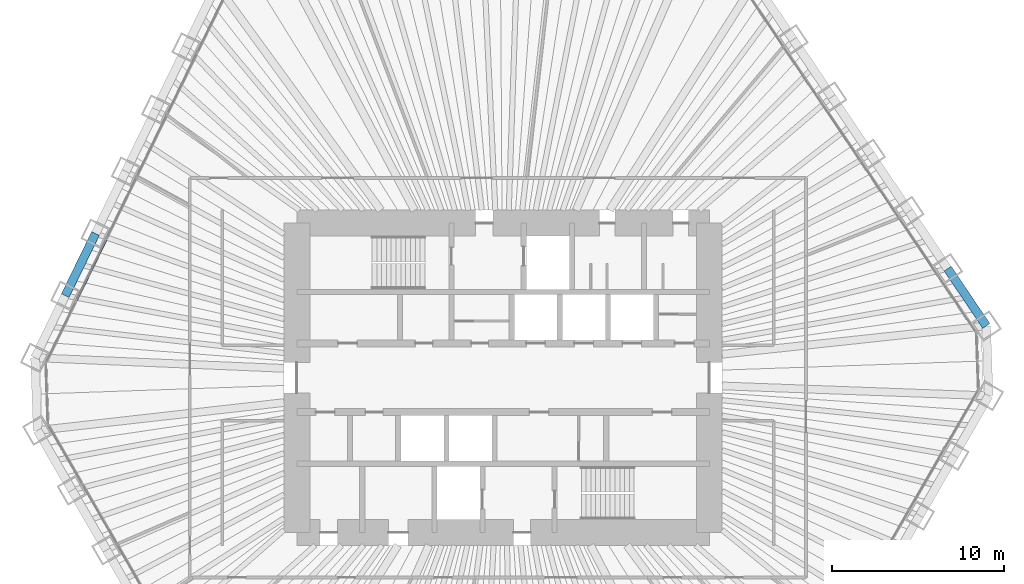
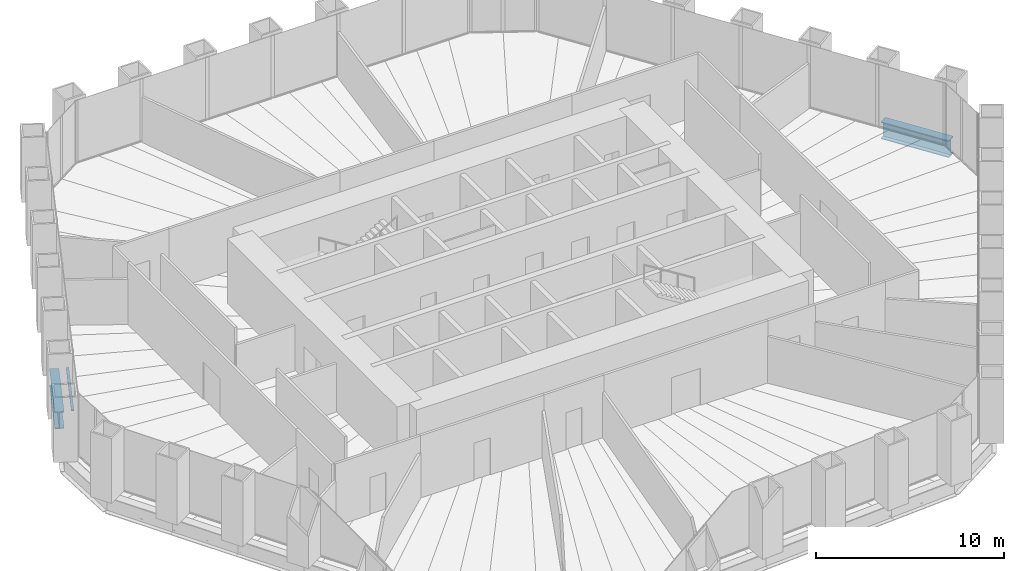
# One storey, part 5 of 13: 2 beams, 1 member, 1 element without a shape of its own.
"""IFC4 building model written with IfcOpenShell, lengths in metres."""

from ifc_helpers import new_model, si_unit, direction, frame, origin, origin_2d, place, context, subcontext, project, spatial, rectangle, i_section, extrude, material, material_profile, profile_set, type_object, element, aggregate, save


model = new_model("IFC4")

# Units and contexts
model_context = context("Model", 3, precision=1e-05, world=origin(), true_north=direction((0.0, 1.0)))
body_context = subcontext(model_context, "Body", "Model", "MODEL_VIEW")
ifc_project = project(units=[si_unit("LENGTHUNIT", "METRE"), si_unit("AREAUNIT", "SQUARE_METRE"), si_unit("VOLUMEUNIT", "CUBIC_METRE"), si_unit("PLANEANGLEUNIT", "RADIAN"), si_unit("MASSUNIT", "GRAM", prefix="KILO")], contexts=[model_context])

# Site, building, storey
site_placement = place(None, origin())
site = spatial("IfcSite", under=ifc_project, at=site_placement, CompositionType="ELEMENT")
building_placement = place(site_placement, origin())
building = spatial("IfcBuilding", under=site, at=building_placement, Name="Qingtian Harvest Tower", CompositionType="ELEMENT")
storey_placement = place(building_placement, frame((0.0, 0.0, 166.0)))
storey = spatial("IfcBuildingStorey", under=building, at=storey_placement, Name="L35", CompositionType="ELEMENT", Elevation=166.0)

# Beams
ifc_material_1 = material(Name="Steel SM570MC", Category="steel")
ifc_material_profile_1 = material_profile(ifc_material_1, i_section(OverallWidth=0.5, OverallDepth=1.10009765625, WebThickness=0.02490234375, FlangeThickness=0.050048828125, at=origin_2d()), Name="H1100x500x25x50")
ifc_profile_set_1 = profile_set([ifc_material_profile_1], Name="Steel SM570MC")
beam_type = type_object("IfcBeamType", Name="Spandrel beam SB2 H1100x500x25x50", PredefinedType="SPANDREL", material=ifc_profile_set_1)
for number, where, z_axis, x_axis, name in (
    (1, (25.8720703125, 6.3505859375, -0.550048828125), (0.55916400171, -0.829057066306, 0.0), (0.829057066306, 0.55916400171, 0.0), "Spandrel SB2 NE5"),
    (2, (-25.483154296875, 4.78125, -0.550048828125), (0.438396105405, 0.89878187274, 0.0), (-0.89878187274, 0.438396105405, 0.0), "Spandrel SB2 NW1"),
):
    element("IfcBeam", number, at=place(storey_placement, frame(where, z_axis=z_axis, x_axis=x_axis)), inside=storey, type_object=beam_type, Name=name, PredefinedType="SPANDREL", context=body_context, shape_type="SweptSolid", body=[
        extrude(i_section(OverallWidth=0.5, OverallDepth=1.10009765625, WebThickness=0.02490234375, FlangeThickness=0.050048828125, at=origin_2d()), origin(), (0.0, 0.0, 1.0), 4.01904296875),
    ])

# Curtain wall, member
ifc_material_2 = material(Name="Bronze-anodised aluminium curtain wall", Category="aluminium")
curtain_wall_type = type_object("IfcCurtainWallType", Name="Curtain wall CW4 office", PredefinedType="USERDEFINED", material=ifc_material_2)
curtain_wall_placement = place(storey_placement, origin())
curtain_wall = element("IfcCurtainWall", 3, at=curtain_wall_placement, inside=storey, type_object=curtain_wall_type, Name="Curtain wall CW4 L35 NW0-5", ObjectType="RECESSED CURTAIN WALL", PredefinedType="USERDEFINED")
ifc_material_3 = material(Name="Bronze-anodised aluminium transom", Category="aluminium")
ifc_material_profile_2 = material_profile(ifc_material_3, rectangle(XDim=0.14990234375, YDim=0.06494140625, at=origin_2d()), Name="AL 65x150")
ifc_profile_set_2 = profile_set([ifc_material_profile_2], Name="Bronze-anodised aluminium transom")
member_type = type_object("IfcMemberType", Name="Transom CWT 65x150", PredefinedType="USERDEFINED", material=ifc_profile_set_2)
member_placement = place(storey_placement, frame((-24.839599609375, 4.503662109375, 0.032470703125), z_axis=(0.438374972828, 0.898792180205, 0.0), x_axis=(-0.898792180205, 0.438374972828, 0.0)))
member = element("IfcMember", 4, at=member_placement, type_object=member_type, Name="CW4 transom 2.1", ObjectType="TRANSOM", PredefinedType="USERDEFINED", context=body_context, shape_type="SweptSolid", body=[
    extrude(rectangle(XDim=0.14990234375, YDim=0.06494140625, at=origin_2d()), origin(), (0.0, 0.0, 1.0), 3.9541015625),
])
aggregate(curtain_wall, [member])

save(model, "model.ifc")
